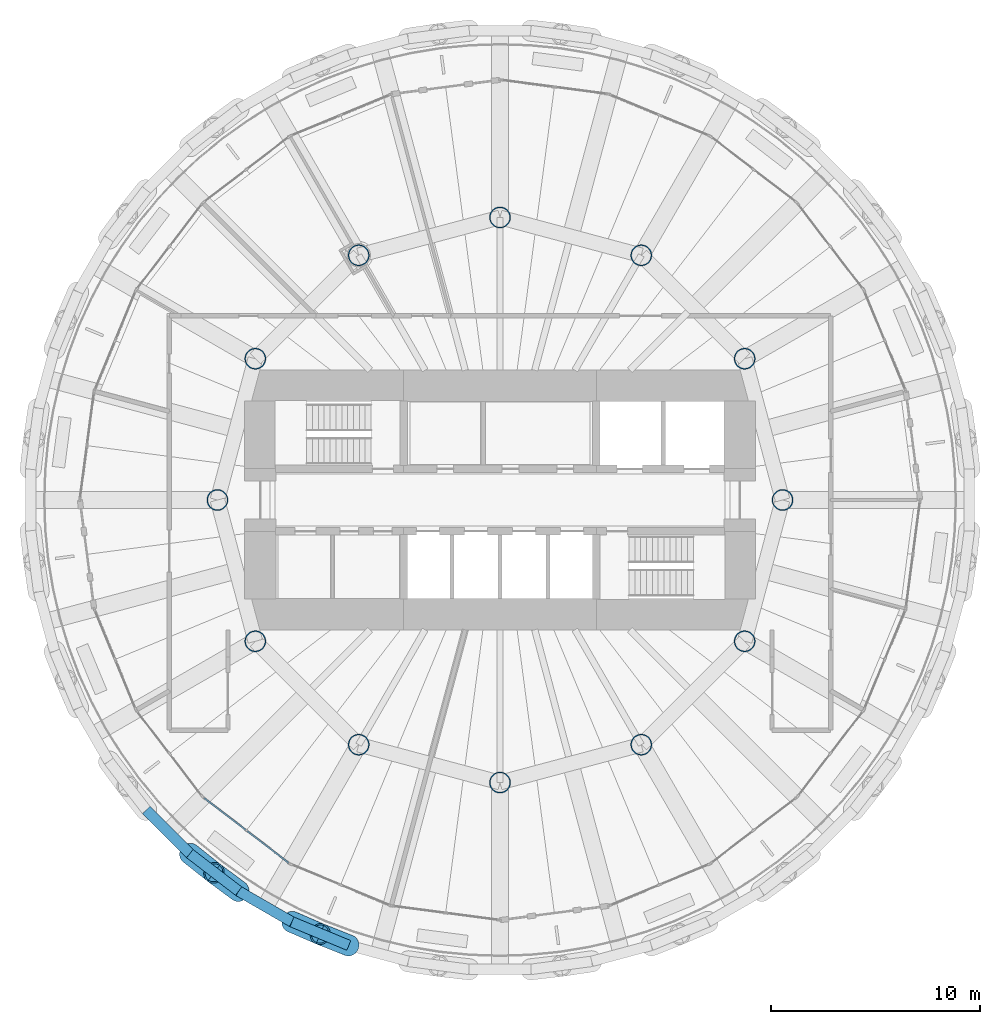
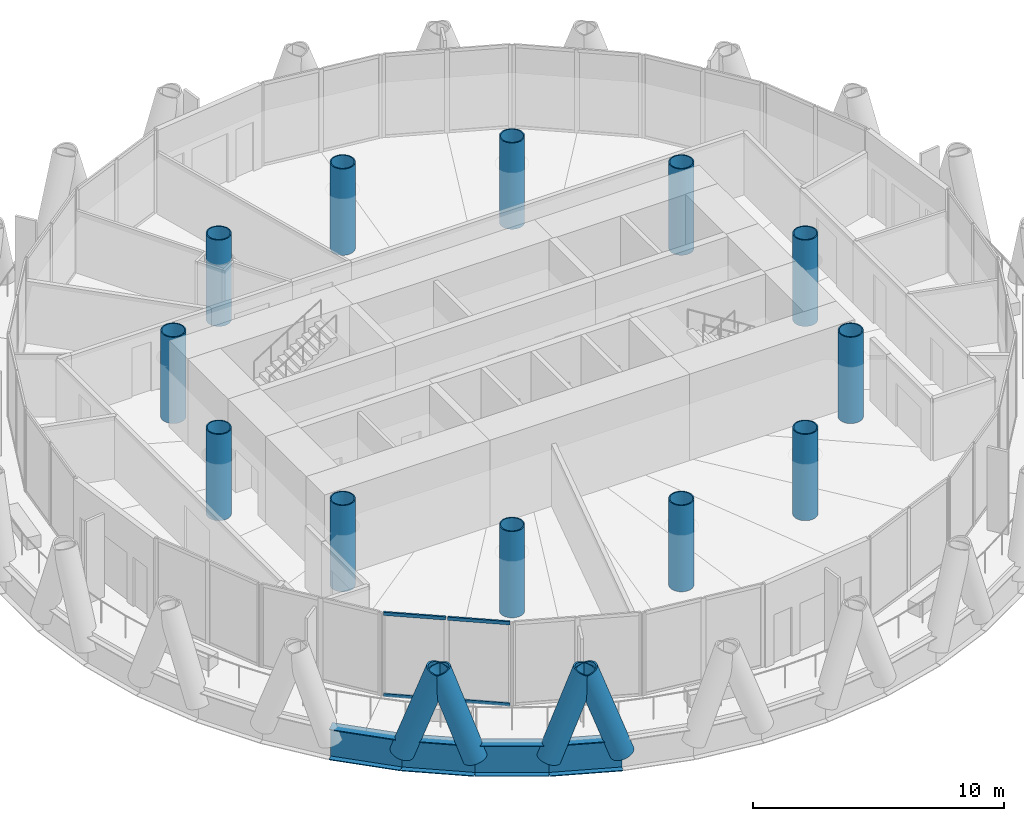
# One storey, part 1 of 15: 12 columns, 8 members, 4 beams, 1 element without a shape of its own.
"""IFC4 building model written with IfcOpenShell, lengths in metres."""

from ifc_helpers import new_model, si_unit, direction, frame, origin, origin_2d, place, context, subcontext, project, spatial, rectangle, hollow_circle, i_section, extrude, material, material_profile, profile_set, type_object, element, aggregate, save


model = new_model("IFC4")

# Units and contexts
model_context = context("Model", 3, precision=1e-05, world=origin(), true_north=direction((0.0, 1.0)))
body_context = subcontext(model_context, "Body", "Model", "MODEL_VIEW")
ifc_project = project(units=[si_unit("LENGTHUNIT", "METRE"), si_unit("AREAUNIT", "SQUARE_METRE"), si_unit("VOLUMEUNIT", "CUBIC_METRE"), si_unit("PLANEANGLEUNIT", "RADIAN"), si_unit("MASSUNIT", "GRAM", prefix="KILO")], contexts=[model_context])

# Site, building, storey
site_placement = place(None, origin())
site = spatial("IfcSite", under=ifc_project, at=site_placement, CompositionType="ELEMENT")
building_placement = place(site_placement, origin())
building = spatial("IfcBuilding", under=site, at=building_placement, Name="Qaws Media Tower", CompositionType="ELEMENT")
storey_placement = place(building_placement, frame((0.0, 0.0, 231.800048828125)))
storey = spatial("IfcBuildingStorey", under=building, at=storey_placement, Name="L53", CompositionType="ELEMENT", Elevation=231.800048828125)

# Columns
ifc_material_1 = material(Name="Steel S460", Category="steel")
ifc_material_profile_1 = material_profile(ifc_material_1, hollow_circle(Radius=0.508056640625, WallThickness=0.050048828125, at=origin_2d()), Name="CHS 1016x50")
ifc_profile_set_1 = profile_set([ifc_material_profile_1], Name="Steel S460")
column_type = type_object("IfcColumnType", Name="Inner column CHS 1016x50", PredefinedType="COLUMN", material=ifc_profile_set_1)
for number, where, z_axis, x_axis, name in (
    (1, (73.5, 50.0, 0.0), (0.0, 0.0, 1.0), (1.0, 0.0, 0.0), "C2 inner column I01 L53"),
    (2, (71.69140625, 56.75, 0.0), (0.0, 0.0, 1.0), (1.0, 0.0, 0.0), "C2 inner column I02 L53"),
    (3, (66.75, 61.69140625, 0.0), (0.0, 0.0, 1.0), (1.0, 0.0, 0.0), "C2 inner column I03 L53"),
    (4, (60.0, 63.5, 0.0), (0.0, 0.0, 1.0), (1.0, 0.0, 0.0), "C2 inner column I04 L53"),
    (5, (53.25, 61.69140625, 0.0), (0.0, 0.0, 1.0), (1.0, 0.0, 0.0), "C2 inner column I05 L53"),
    (6, (48.30859375, 56.75, 0.0), (0.0, 0.0, 1.0), (1.0, 0.0, 0.0), "C2 inner column I06 L53"),
    (7, (46.5, 50.0, 0.0), (0.0, 0.0, 1.0), (1.0, 0.0, 0.0), "C2 inner column I07 L53"),
    (8, (48.30859375, 43.25, 0.0), (0.0, 0.0, 1.0), (1.0, 0.0, 0.0), "C2 inner column I08 L53"),
    (9, (53.25, 38.30859375, 0.0), (0.0, 0.0, 1.0), (1.0, 0.0, 0.0), "C2 inner column I09 L53"),
    (10, (60.0, 36.5, 0.0), (0.0, 0.0, 1.0), (1.0, 0.0, 0.0), "C2 inner column I10 L53"),
    (11, (66.75, 38.30859375, 0.0), (0.0, 0.0, 1.0), (1.0, 0.0, 0.0), "C2 inner column I11 L53"),
    (12, (71.69140625, 43.25, 0.0), (0.0, 0.0, 1.0), (1.0, 0.0, 0.0), "C2 inner column I12 L53"),
):
    element("IfcColumn", number, at=place(storey_placement, frame(where, z_axis=z_axis, x_axis=x_axis)), inside=storey, type_object=column_type, Name=name, PredefinedType="COLUMN", context=body_context, shape_type="SweptSolid", body=[
        extrude(hollow_circle(Radius=0.508056640625, WallThickness=0.050048828125, at=origin_2d()), origin(), (0.0, 0.0, 1.0), 4.199951171875),
    ])

# Curtain wall, members
ifc_material_2 = material(Name="Aluminium and clear glass", Category="aluminium")
curtain_wall_type = type_object("IfcCurtainWallType", Name="Unitised curtain wall CW-C", PredefinedType="NOTDEFINED", material=ifc_material_2)
curtain_wall_placement = place(storey_placement, origin())
curtain_wall = element("IfcCurtainWall", 13, at=curtain_wall_placement, inside=storey, type_object=curtain_wall_type, Name="CWC curtain wall L53-16", PredefinedType="NOTDEFINED")
ifc_material_3 = material(Name="Aluminium transom", Category="aluminium")
ifc_material_profile_2 = material_profile(ifc_material_3, rectangle(XDim=0.080078125, YDim=0.159912109375, at=origin_2d()), Name="80x160")
ifc_profile_set_2 = profile_set([ifc_material_profile_2], Name="Aluminium transom")
member_type_1 = type_object("IfcMemberType", Name="Curtain wall transom 80x160", PredefinedType="USERDEFINED", material=ifc_profile_set_2)
member_1_placement = place(storey_placement, frame((45.868408203125, 35.756103515625, 0.0400390625), z_axis=(0.793378418064, -0.608728745626, 0.0), x_axis=(0.608728745626, 0.793378418064, 0.0)))
member_1 = element("IfcMember", 14, at=member_1_placement, type_object=member_type_1, Name="CWC transom 1.1", ObjectType="TRANSOM", PredefinedType="USERDEFINED", context=body_context, shape_type="SweptSolid", body=[
    extrude(rectangle(XDim=0.080078125, YDim=0.159912109375, at=origin_2d()), origin(), (0.0, 0.0, 1.0), 2.500244140625),
])
member_2_placement = place(storey_placement, frame((45.868408203125, 35.756103515625, 4.0), z_axis=(0.793378418064, -0.608728745626, 0.0), x_axis=(0.608728745626, 0.793378418064, 0.0)))
member_2 = element("IfcMember", 15, at=member_2_placement, type_object=member_type_1, Name="CWC transom 1.2", ObjectType="TRANSOM", PredefinedType="USERDEFINED", context=body_context, shape_type="SweptSolid", body=[
    extrude(rectangle(XDim=0.080078125, YDim=0.159912109375, at=origin_2d()), origin(), (0.0, 0.0, 1.0), 2.500244140625),
])
member_3_placement = place(storey_placement, frame((47.915283203125, 34.185302734375, 0.0400390625), z_axis=(0.793378418064, -0.608728745626, 0.0), x_axis=(0.608728745626, 0.793378418064, 0.0)))
member_3 = element("IfcMember", 16, at=member_3_placement, type_object=member_type_1, Name="CWC transom 2.1", ObjectType="TRANSOM", PredefinedType="USERDEFINED", context=body_context, shape_type="SweptSolid", body=[
    extrude(rectangle(XDim=0.080078125, YDim=0.159912109375, at=origin_2d()), origin(), (0.0, 0.0, 1.0), 2.500244140625),
])
member_4_placement = place(storey_placement, frame((47.915283203125, 34.185302734375, 4.0), z_axis=(0.793378418064, -0.608728745626, 0.0), x_axis=(0.608728745626, 0.793378418064, 0.0)))
member_4 = element("IfcMember", 17, at=member_4_placement, type_object=member_type_1, Name="CWC transom 2.2", ObjectType="TRANSOM", PredefinedType="USERDEFINED", context=body_context, shape_type="SweptSolid", body=[
    extrude(rectangle(XDim=0.080078125, YDim=0.159912109375, at=origin_2d()), origin(), (0.0, 0.0, 1.0), 2.500244140625),
])
aggregate(curtain_wall, [member_1, member_2, member_3, member_4])

# Members
ifc_material_4 = material(Name="Steel S460", Category="steel")
ifc_material_profile_3 = material_profile(ifc_material_4, hollow_circle(Radius=0.508056640625, WallThickness=0.070068359375, at=origin_2d()), Name="CHS 1016x70")
ifc_profile_set_3 = profile_set([ifc_material_profile_3], Name="Steel S460")
member_type_2 = type_object("IfcMemberType", Name="Diagrid member CHS 1016x70", PredefinedType="USERDEFINED", material=ifc_profile_set_3)
for number, where, z_axis, x_axis, name in (
    (18, (45.18115234375, 33.102294921875, -0.91015625), (0.25889748056, -0.20518681443, 0.943859346377), (0.621123982271, 0.783712318806, 0.0), "DG3 diagrid L53 A16"),
    (19, (50.0595703125, 29.8427734375, -0.91015625), (0.303170936051, -0.131231429431, 0.943856819366), (0.397243881504, 0.917713080765, 0.0), "DG3 diagrid L53 A17"),
):
    element("IfcMember", number, at=place(storey_placement, frame(where, z_axis=z_axis, x_axis=x_axis)), inside=storey, type_object=member_type_2, Name=name, ObjectType="DIAGRID", PredefinedType="USERDEFINED", context=body_context, shape_type="SweptSolid", body=[
        extrude(hollow_circle(Radius=0.508056640625, WallThickness=0.070068359375, at=origin_2d()), origin(), (0.0, 0.0, 1.0), 4.449951171875),
    ])
member_5_placement = place(storey_placement, frame((47.513671875, 31.312744140625, -0.91015625), z_axis=(-0.265258064978, 0.196954799022, 0.943846897598), x_axis=(-0.596140546888, -0.802880095878, 0.0)))
element("IfcMember", 20, at=member_5_placement, inside=storey, type_object=member_type_2, Name="DG3 diagrid L53 B17", ObjectType="DIAGRID", PredefinedType="USERDEFINED", context=body_context, shape_type="SweptSolid", body=[
    extrude(hollow_circle(Radius=0.508056640625, WallThickness=0.070068359375, at=origin_2d()), origin(), (0.0, 0.0, 1.0), 4.4501953125),
])
member_6_placement = place(storey_placement, frame((52.775634765625, 28.7177734375, -0.91015625), z_axis=(-0.307175392233, 0.121575400819, 0.943855232714), x_axis=(-0.368009566167, -0.929822004047, 0.0)))
element("IfcMember", 21, at=member_6_placement, inside=storey, type_object=member_type_2, Name="DG3 diagrid L53 B18", ObjectType="DIAGRID", PredefinedType="USERDEFINED", context=body_context, shape_type="SweptSolid", body=[
    extrude(hollow_circle(Radius=0.508056640625, WallThickness=0.070068359375, at=origin_2d()), origin(), (0.0, 0.0, 1.0), 4.449951171875),
])

# Beams
ifc_material_5 = material(Name="Steel S460", Category="steel")
ifc_material_profile_4 = material_profile(ifc_material_5, i_section(OverallWidth=0.5, OverallDepth=1.5, WebThickness=0.02001953125, FlangeThickness=0.0400390625, at=origin_2d()), Name="PG 1500x500")
ifc_profile_set_4 = profile_set([ifc_material_profile_4], Name="Steel S460")
beam_type = type_object("IfcBeamType", Name="Edge ring beam PG 1500x500", PredefinedType="BEAM", material=ifc_profile_set_4)
for number, where, z_axis, x_axis, name in (
    (22, (43.102294921875, 35.18115234375, -0.91015625), (0.707106781187, -0.707106781187, 0.0), (0.707106781187, 0.707106781187, 0.0), "RB4 edge ring beam L53-30"),
    (23, (45.18115234375, 33.102294921875, -0.91015625), (0.793395131444, -0.608706961847, 0.0), (0.608706961847, 0.793395131444, 0.0), "RB4 edge ring beam L53-31"),
):
    element("IfcBeam", number, at=place(storey_placement, frame(where, z_axis=z_axis, x_axis=x_axis)), inside=storey, type_object=beam_type, Name=name, PredefinedType="BEAM", context=body_context, shape_type="SweptSolid", body=[
        extrude(i_section(OverallWidth=0.5, OverallDepth=1.5, WebThickness=0.02001953125, FlangeThickness=0.0400390625, at=origin_2d()), origin(), (0.0, 0.0, 1.0), 2.93994140625),
    ])
beam_1_placement = place(storey_placement, frame((47.513671875, 31.312744140625, -0.91015625), z_axis=(0.866011328839, -0.500024377727, 0.0), x_axis=(0.500024377727, 0.866011328839, 0.0)))
element("IfcBeam", 24, at=beam_1_placement, inside=storey, type_object=beam_type, Name="RB4 edge ring beam L53-32", PredefinedType="BEAM", context=body_context, shape_type="SweptSolid", body=[
    extrude(i_section(OverallWidth=0.5, OverallDepth=1.5, WebThickness=0.02001953125, FlangeThickness=0.0400390625, at=origin_2d()), origin(), (0.0, 0.0, 1.0), 2.939697265625),
])
beam_2_placement = place(storey_placement, frame((50.0595703125, 29.8427734375, -0.91015625), z_axis=(0.923883228482, -0.38267450938, 0.0), x_axis=(0.38267450938, 0.923883228482, 0.0)))
element("IfcBeam", 25, at=beam_2_placement, inside=storey, type_object=beam_type, Name="RB4 edge ring beam L53-33", PredefinedType="BEAM", context=body_context, shape_type="SweptSolid", body=[
    extrude(i_section(OverallWidth=0.5, OverallDepth=1.5, WebThickness=0.02001953125, FlangeThickness=0.0400390625, at=origin_2d()), origin(), (0.0, 0.0, 1.0), 2.93994140625),
])

save(model, "model.ifc")
